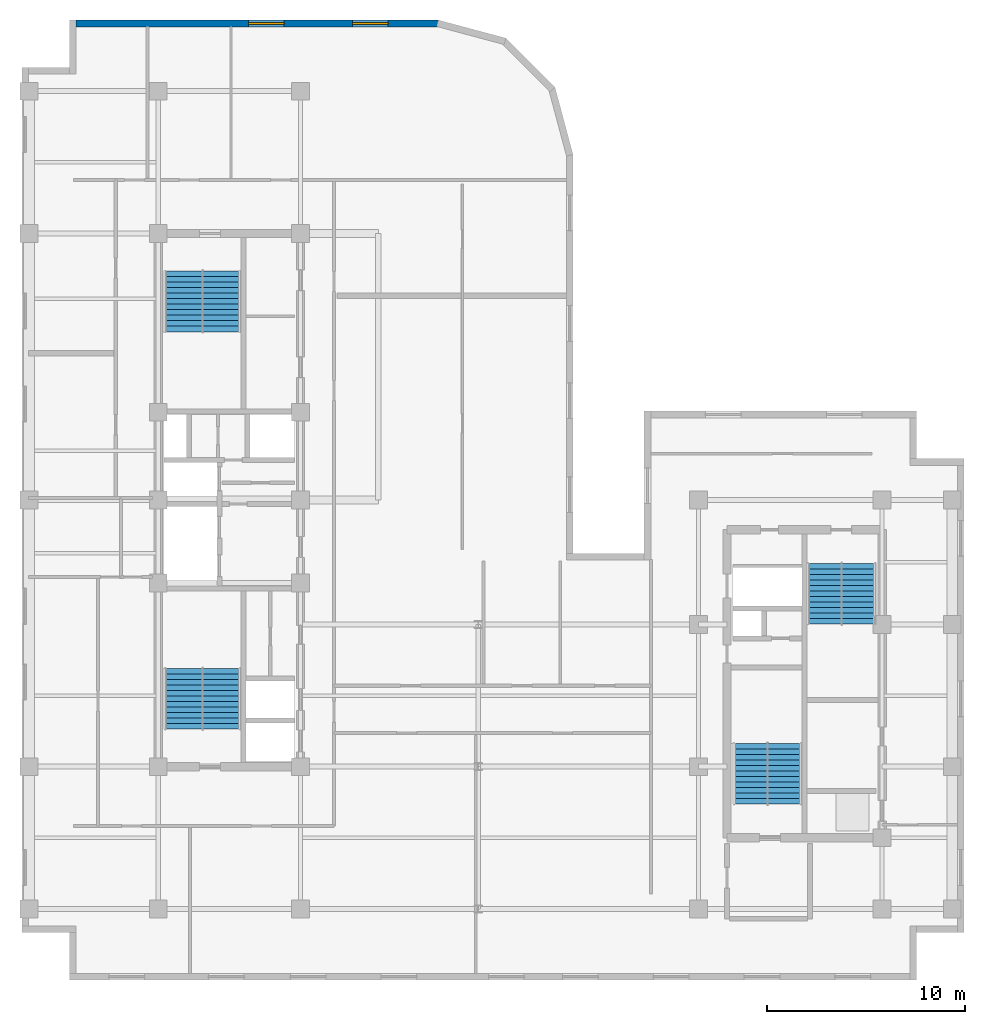
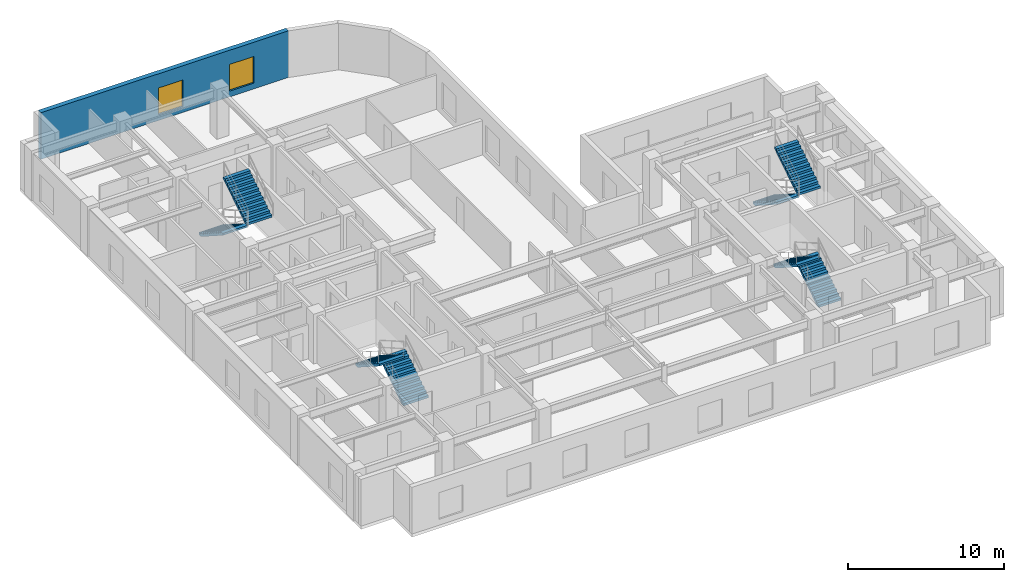
# One storey, part 7 of 11: 8 stair flights, 2 windows, 1 wall, 2 openings, 4 elements without a shape of their own.
"""IFC4 building model written with IfcOpenShell, lengths in metres."""

from ifc_helpers import new_model, entity, si_unit, converted_unit, direction, frame, origin_with_axes, origin_2d_with_axis, place, context, subcontext, project, spatial, polyline, rectangle, outline, extrude, material, layer, layer_set, type_object, element, fill, aggregate, save


model = new_model("IFC4")

# Units and contexts
model_context = context("Model", 3, precision=1e-05, world=origin_with_axes(), true_north=direction((0.0, 1.0)))
body_context = subcontext(model_context, "Body", "Model", "MODEL_VIEW")
ifc_project = project(units=[si_unit("LENGTHUNIT", "METRE"), si_unit("AREAUNIT", "SQUARE_METRE"), si_unit("VOLUMEUNIT", "CUBIC_METRE"), converted_unit("PLANEANGLEUNIT", "DEGREE", entity("IfcPlaneAngleMeasure", 0.017453292519943295), si_unit("PLANEANGLEUNIT", "RADIAN"), dimensions=[0, 0, 0, 0, 0, 0, 0]), si_unit("MASSUNIT", "GRAM", prefix="KILO"), si_unit("THERMODYNAMICTEMPERATUREUNIT", "KELVIN")], contexts=[model_context])

# Site, building, storey
site_placement = place(None, origin_with_axes())
site = spatial("IfcSite", under=ifc_project, at=site_placement, CompositionType="ELEMENT")
building_placement = place(site_placement, origin_with_axes())
building = spatial("IfcBuilding", under=site, at=building_placement, Name="Varnlund Millrace Tower", CompositionType="ELEMENT")
storey_placement = place(building_placement, frame((0.0, 0.0, 224.7), z_axis=(0.0, 0.0, 1.0), x_axis=(1.0, 0.0, 0.0)))
storey = spatial("IfcBuildingStorey", under=building, at=storey_placement, Name="L55", CompositionType="ELEMENT", Elevation=224.7)

# Wall, openings, windows
ifc_material_1 = material(Name="Precast concrete C50/60", Category="concrete")
ifc_layer = layer(ifc_material_1, 0.34, Name="Precast concrete C50/60")
ifc_layer_set = layer_set([ifc_layer], Name="Precast concrete C50/60")
wall_type = type_object("IfcWallType", Name="Type-ExtWall-Precast-Upper-340", PredefinedType="SOLIDWALL", material=ifc_layer_set)
wall_placement = place(storey_placement, frame((7.24, 48.43, 0.0), z_axis=(0.0, 0.0, 1.0), x_axis=(1.0, 0.0, 0.0)))
wall = element("IfcWall", 1, at=wall_placement, inside=storey, type_object=wall_type, Name="Type-ExtWall-Precast-Upper-340", PredefinedType="SOLIDWALL", context=body_context, shape_type="SweptSolid", body=[
    extrude(outline(polyline([(0.0, -0.17), (18.36, -0.17), (18.36, 0.17), (0.0, 0.17), (0.0, -0.17)])), origin_with_axes(), (0.0, 0.0, 1.0), 3.66),
])
opening_1_placement = place(wall_placement, frame((9.63, 0.0, 0.45), z_axis=(0.0, 0.0, 1.0), x_axis=(1.0, 0.0, 0.0)))
opening_1 = element("IfcOpeningElement", 2, at=opening_1_placement, cuts=wall, Name="Opening L55:WN-22", PredefinedType="OPENING", context=body_context, shape_type="SweptSolid", body=[
    extrude(rectangle(XDim=1.8, YDim=0.36, at=origin_2d_with_axis()), origin_with_axes(), (0.0, 0.0, 1.0), 2.1),
])
opening_2_placement = place(wall_placement, frame((14.9, 0.0, 0.45), z_axis=(0.0, 0.0, 1.0), x_axis=(1.0, 0.0, 0.0)))
opening_2 = element("IfcOpeningElement", 3, at=opening_2_placement, cuts=wall, Name="Opening L55:WN-23", PredefinedType="OPENING", context=body_context, shape_type="SweptSolid", body=[
    extrude(rectangle(XDim=1.8, YDim=0.36, at=origin_2d_with_axis()), origin_with_axes(), (0.0, 0.0, 1.0), 2.1),
])
ifc_material_2 = material(Name="Argon low-e triple glazing in thermally broken bronze frame", Category="glass")
window_type = type_object("IfcWindowType", Name="Type-Window-Punched-1800X2100", PartitioningType="SINGLE_PANEL", PredefinedType="WINDOW", material=ifc_material_2)
window_1_placement = place(wall_placement, frame((9.63, 0.0, 0.45), z_axis=(0.0, 0.0, 1.0), x_axis=(1.0, 0.0, 0.0)))
window_1 = element("IfcWindow", 4, at=window_1_placement, inside=storey, type_object=window_type, Name="Type-Window-Punched-1800X2100", OverallHeight=2.1, OverallWidth=1.8, PredefinedType="WINDOW", context=body_context, shape_type="SweptSolid", body=[
    extrude(rectangle(XDim=1.8, YDim=0.09, at=origin_2d_with_axis()), origin_with_axes(), (0.0, 0.0, 1.0), 2.1),
])
fill(opening_1, window_1)
window_2_placement = place(wall_placement, frame((14.9, 0.0, 0.45), z_axis=(0.0, 0.0, 1.0), x_axis=(1.0, 0.0, 0.0)))
window_2 = element("IfcWindow", 5, at=window_2_placement, inside=storey, type_object=window_type, Name="Type-Window-Punched-1800X2100", OverallHeight=2.1, OverallWidth=1.8, PredefinedType="WINDOW", context=body_context, shape_type="SweptSolid", body=[
    extrude(rectangle(XDim=1.8, YDim=0.09, at=origin_2d_with_axis()), origin_with_axes(), (0.0, 0.0, 1.0), 2.1),
])
fill(opening_2, window_2)

# Stair, stair flights
ifc_material_3 = material(Name="Concrete C50/60", Category="concrete")
stair_type_1 = type_object("IfcStairType", Name="Type-Stair-Dogleg-165-390", PredefinedType="HALF_TURN_STAIR", material=ifc_material_3)
stair_1_placement = place(storey_placement, origin_with_axes())
stair_1 = element("IfcStair", 6, at=stair_1_placement, inside=storey, type_object=stair_type_1, Name="Type-Stair-Dogleg-165-390", PredefinedType="HALF_TURN_STAIR")
stair_flight_type_1 = type_object("IfcStairFlightType", Name="Type-Dogleg-Run-165-390", PredefinedType="STRAIGHT", material=ifc_material_1)
stair_flight_1_placement = place(storey_placement, frame((42.225, 8.9, 0.0), z_axis=(1.0, 0.0, 0.0), x_axis=(0.0, 1.0, 0.0)))
stair_flight_1 = element("IfcStairFlight", 7, at=stair_flight_1_placement, type_object=stair_flight_type_1, Name="ST-B1 flight 1", NumberOfRisers=11, NumberOfTreads=11, PredefinedType="STRAIGHT", RiserHeight=0.177273, TreadLength=0.28, context=body_context, shape_type="SweptSolid", body=[
    extrude(outline(polyline([(0.0, 0.0), (0.0, 0.177273), (0.28, 0.177273), (0.28, 0.354545), (0.56, 0.354545), (0.56, 0.531818), (0.84, 0.531818), (0.84, 0.709091), (1.12, 0.709091), (1.12, 0.886364), (1.4, 0.886364), (1.4, 1.063636), (1.68, 1.063636), (1.68, 1.240909), (1.96, 1.240909), (1.96, 1.418182), (2.24, 1.418182), (2.24, 1.595454), (2.52, 1.595454), (2.52, 1.772727), (2.8, 1.772727), (2.8, 1.95), (3.08, 1.95), (3.08, 1.8), (0.28, 0.0), (0.0, 0.0)])), origin_with_axes(), (0.0, 0.0, 1.0), 1.65),
])
stair_flight_2_placement = place(storey_placement, frame((42.275, 11.98, 1.95), z_axis=(-1.0, 0.0, 0.0), x_axis=(0.0, -1.0, 0.0)))
stair_flight_2 = element("IfcStairFlight", 8, at=stair_flight_2_placement, type_object=stair_flight_type_1, Name="ST-B1 flight 2", NumberOfRisers=11, NumberOfTreads=11, PredefinedType="STRAIGHT", RiserHeight=0.177273, TreadLength=0.28, context=body_context, shape_type="SweptSolid", body=[
    extrude(outline(polyline([(0.0, 0.0), (0.0, 0.177273), (0.28, 0.177273), (0.28, 0.354545), (0.56, 0.354545), (0.56, 0.531818), (0.84, 0.531818), (0.84, 0.709091), (1.12, 0.709091), (1.12, 0.886364), (1.4, 0.886364), (1.4, 1.063636), (1.68, 1.063636), (1.68, 1.240909), (1.96, 1.240909), (1.96, 1.418182), (2.24, 1.418182), (2.24, 1.595454), (2.52, 1.595454), (2.52, 1.772727), (2.8, 1.772727), (2.8, 1.95), (3.08, 1.95), (3.08, 1.8), (0.28, 0.0), (0.0, 0.0)])), origin_with_axes(), (0.0, 0.0, 1.0), 1.65),
])
aggregate(stair_1, [stair_flight_1, stair_flight_2])

stair_2_placement = place(storey_placement, origin_with_axes())
stair_2 = element("IfcStair", 9, at=stair_2_placement, inside=storey, type_object=stair_type_1, Name="Type-Stair-Dogleg-165-390", PredefinedType="HALF_TURN_STAIR")
stair_flight_3_placement = place(storey_placement, frame((46.025, 21.1, 0.0), z_axis=(-1.0, 0.0, 0.0), x_axis=(0.0, -1.0, 0.0)))
stair_flight_3 = element("IfcStairFlight", 10, at=stair_flight_3_placement, type_object=stair_flight_type_1, Name="ST-B2 flight 1", NumberOfRisers=11, NumberOfTreads=11, PredefinedType="STRAIGHT", RiserHeight=0.177273, TreadLength=0.28, context=body_context, shape_type="SweptSolid", body=[
    extrude(outline(polyline([(0.0, 0.0), (0.0, 0.177273), (0.28, 0.177273), (0.28, 0.354545), (0.56, 0.354545), (0.56, 0.531818), (0.84, 0.531818), (0.84, 0.709091), (1.12, 0.709091), (1.12, 0.886364), (1.4, 0.886364), (1.4, 1.063636), (1.68, 1.063636), (1.68, 1.240909), (1.96, 1.240909), (1.96, 1.418182), (2.24, 1.418182), (2.24, 1.595454), (2.52, 1.595454), (2.52, 1.772727), (2.8, 1.772727), (2.8, 1.95), (3.08, 1.95), (3.08, 1.8), (0.28, 0.0), (0.0, 0.0)])), origin_with_axes(), (0.0, 0.0, 1.0), 1.65),
])
stair_flight_4_placement = place(storey_placement, frame((45.975, 18.02, 1.95), z_axis=(1.0, 0.0, 0.0), x_axis=(0.0, 1.0, 0.0)))
stair_flight_4 = element("IfcStairFlight", 11, at=stair_flight_4_placement, type_object=stair_flight_type_1, Name="ST-B2 flight 2", NumberOfRisers=11, NumberOfTreads=11, PredefinedType="STRAIGHT", RiserHeight=0.177273, TreadLength=0.28, context=body_context, shape_type="SweptSolid", body=[
    extrude(outline(polyline([(0.0, 0.0), (0.0, 0.177273), (0.28, 0.177273), (0.28, 0.354545), (0.56, 0.354545), (0.56, 0.531818), (0.84, 0.531818), (0.84, 0.709091), (1.12, 0.709091), (1.12, 0.886364), (1.4, 0.886364), (1.4, 1.063636), (1.68, 1.063636), (1.68, 1.240909), (1.96, 1.240909), (1.96, 1.418182), (2.24, 1.418182), (2.24, 1.595454), (2.52, 1.595454), (2.52, 1.772727), (2.8, 1.772727), (2.8, 1.95), (3.08, 1.95), (3.08, 1.8), (0.28, 0.0), (0.0, 0.0)])), origin_with_axes(), (0.0, 0.0, 1.0), 1.65),
])
aggregate(stair_2, [stair_flight_3, stair_flight_4])

stair_type_2 = type_object("IfcStairType", Name="Type-Stair-Dogleg-185-390", PredefinedType="HALF_TURN_STAIR", material=ifc_material_3)
stair_3_placement = place(storey_placement, origin_with_axes())
stair_3 = element("IfcStair", 12, at=stair_3_placement, inside=storey, type_object=stair_type_2, Name="Type-Stair-Dogleg-185-390", PredefinedType="HALF_TURN_STAIR")
stair_flight_type_2 = type_object("IfcStairFlightType", Name="Type-Dogleg-Run-185-390", PredefinedType="STRAIGHT", material=ifc_material_1)
stair_flight_5_placement = place(storey_placement, frame((13.625, 12.7, 0.0), z_axis=(1.0, 0.0, 0.0), x_axis=(0.0, 1.0, 0.0)))
stair_flight_5 = element("IfcStairFlight", 13, at=stair_flight_5_placement, type_object=stair_flight_type_2, Name="ST-A1 flight 1", NumberOfRisers=11, NumberOfTreads=11, PredefinedType="STRAIGHT", RiserHeight=0.177273, TreadLength=0.28, context=body_context, shape_type="SweptSolid", body=[
    extrude(outline(polyline([(0.0, 0.0), (0.0, 0.177273), (0.28, 0.177273), (0.28, 0.354545), (0.56, 0.354545), (0.56, 0.531818), (0.84, 0.531818), (0.84, 0.709091), (1.12, 0.709091), (1.12, 0.886364), (1.4, 0.886364), (1.4, 1.063636), (1.68, 1.063636), (1.68, 1.240909), (1.96, 1.240909), (1.96, 1.418182), (2.24, 1.418182), (2.24, 1.595454), (2.52, 1.595454), (2.52, 1.772727), (2.8, 1.772727), (2.8, 1.95), (3.08, 1.95), (3.08, 1.8), (0.28, 0.0), (0.0, 0.0)])), origin_with_axes(), (0.0, 0.0, 1.0), 1.85),
])
stair_flight_6_placement = place(storey_placement, frame((13.675, 15.78, 1.95), z_axis=(-1.0, 0.0, 0.0), x_axis=(0.0, -1.0, 0.0)))
stair_flight_6 = element("IfcStairFlight", 14, at=stair_flight_6_placement, type_object=stair_flight_type_2, Name="ST-A1 flight 2", NumberOfRisers=11, NumberOfTreads=11, PredefinedType="STRAIGHT", RiserHeight=0.177273, TreadLength=0.28, context=body_context, shape_type="SweptSolid", body=[
    extrude(outline(polyline([(0.0, 0.0), (0.0, 0.177273), (0.28, 0.177273), (0.28, 0.354545), (0.56, 0.354545), (0.56, 0.531818), (0.84, 0.531818), (0.84, 0.709091), (1.12, 0.709091), (1.12, 0.886364), (1.4, 0.886364), (1.4, 1.063636), (1.68, 1.063636), (1.68, 1.240909), (1.96, 1.240909), (1.96, 1.418182), (2.24, 1.418182), (2.24, 1.595454), (2.52, 1.595454), (2.52, 1.772727), (2.8, 1.772727), (2.8, 1.95), (3.08, 1.95), (3.08, 1.8), (0.28, 0.0), (0.0, 0.0)])), origin_with_axes(), (0.0, 0.0, 1.0), 1.85),
])
aggregate(stair_3, [stair_flight_5, stair_flight_6])

stair_4_placement = place(storey_placement, origin_with_axes())
stair_4 = element("IfcStair", 15, at=stair_4_placement, inside=storey, type_object=stair_type_2, Name="Type-Stair-Dogleg-185-390", PredefinedType="HALF_TURN_STAIR")
stair_flight_7_placement = place(storey_placement, frame((13.675, 35.9, 0.0), z_axis=(-1.0, 0.0, 0.0), x_axis=(0.0, -1.0, 0.0)))
stair_flight_7 = element("IfcStairFlight", 16, at=stair_flight_7_placement, type_object=stair_flight_type_2, Name="ST-A2 flight 1", NumberOfRisers=11, NumberOfTreads=11, PredefinedType="STRAIGHT", RiserHeight=0.177273, TreadLength=0.28, context=body_context, shape_type="SweptSolid", body=[
    extrude(outline(polyline([(0.0, 0.0), (0.0, 0.177273), (0.28, 0.177273), (0.28, 0.354545), (0.56, 0.354545), (0.56, 0.531818), (0.84, 0.531818), (0.84, 0.709091), (1.12, 0.709091), (1.12, 0.886364), (1.4, 0.886364), (1.4, 1.063636), (1.68, 1.063636), (1.68, 1.240909), (1.96, 1.240909), (1.96, 1.418182), (2.24, 1.418182), (2.24, 1.595454), (2.52, 1.595454), (2.52, 1.772727), (2.8, 1.772727), (2.8, 1.95), (3.08, 1.95), (3.08, 1.8), (0.28, 0.0), (0.0, 0.0)])), origin_with_axes(), (0.0, 0.0, 1.0), 1.85),
])
stair_flight_8_placement = place(storey_placement, frame((13.625, 32.82, 1.95), z_axis=(1.0, 0.0, 0.0), x_axis=(0.0, 1.0, 0.0)))
stair_flight_8 = element("IfcStairFlight", 17, at=stair_flight_8_placement, type_object=stair_flight_type_2, Name="ST-A2 flight 2", NumberOfRisers=11, NumberOfTreads=11, PredefinedType="STRAIGHT", RiserHeight=0.177273, TreadLength=0.28, context=body_context, shape_type="SweptSolid", body=[
    extrude(outline(polyline([(0.0, 0.0), (0.0, 0.177273), (0.28, 0.177273), (0.28, 0.354545), (0.56, 0.354545), (0.56, 0.531818), (0.84, 0.531818), (0.84, 0.709091), (1.12, 0.709091), (1.12, 0.886364), (1.4, 0.886364), (1.4, 1.063636), (1.68, 1.063636), (1.68, 1.240909), (1.96, 1.240909), (1.96, 1.418182), (2.24, 1.418182), (2.24, 1.595454), (2.52, 1.595454), (2.52, 1.772727), (2.8, 1.772727), (2.8, 1.95), (3.08, 1.95), (3.08, 1.8), (0.28, 0.0), (0.0, 0.0)])), origin_with_axes(), (0.0, 0.0, 1.0), 1.85),
])
aggregate(stair_4, [stair_flight_7, stair_flight_8])

save(model, "model.ifc")
